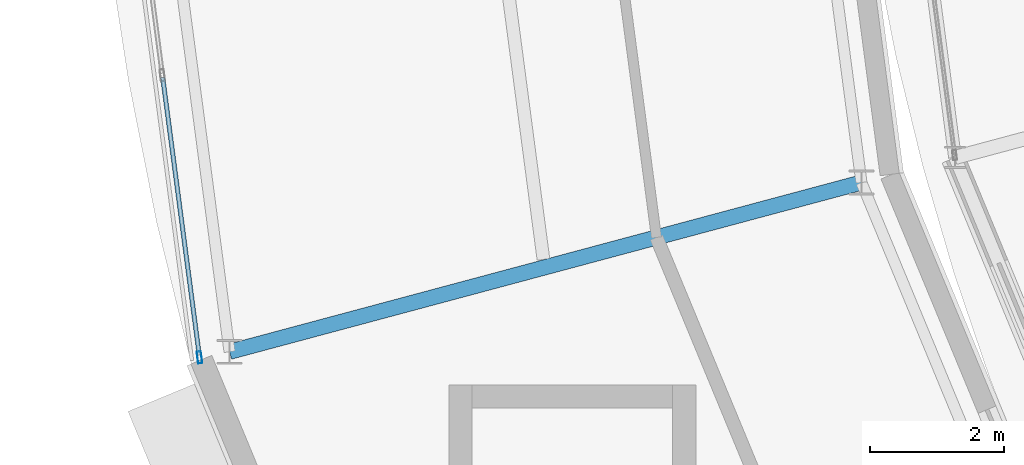
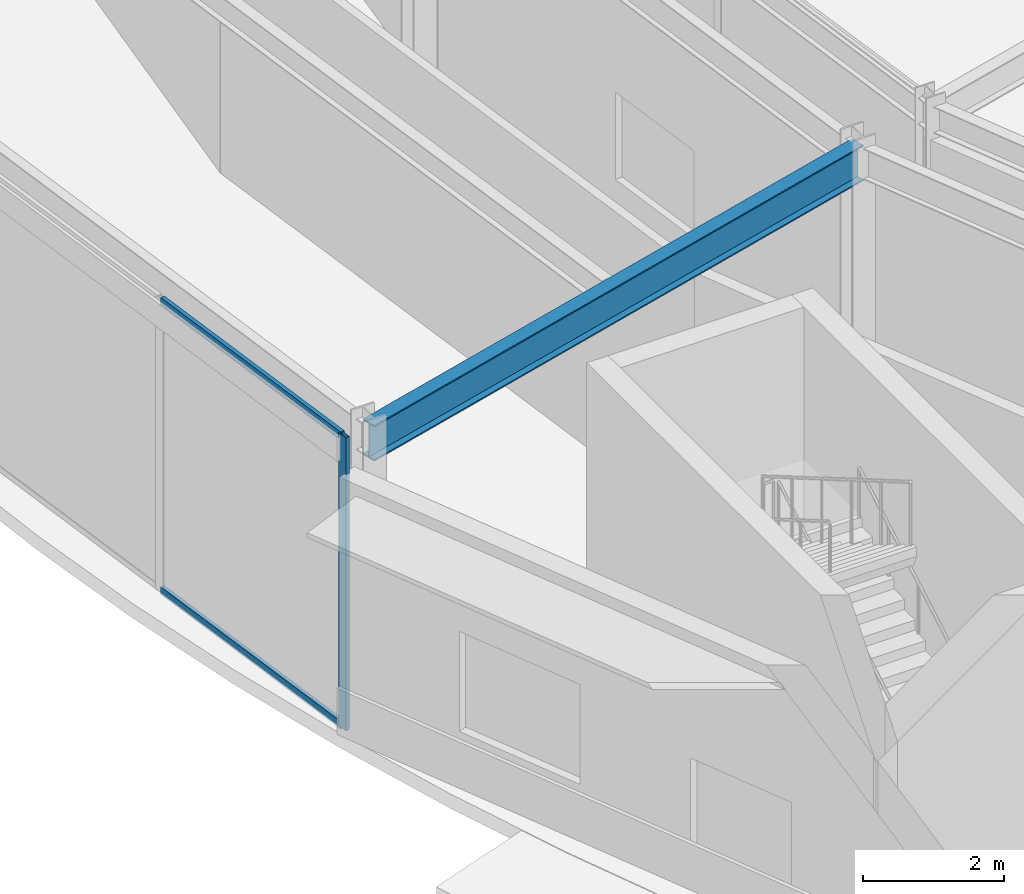
# One storey, part 32 of 168: 3 members, 1 beam, 1 element without a shape of its own.
"""IFC4 building model written with IfcOpenShell, lengths in metres."""

from ifc_helpers import new_model, si_unit, direction, frame, origin, origin_2d, place, context, subcontext, project, spatial, hollow_rectangle, i_section, extrude, material, material_profile, profile_set, type_object, element, aggregate, save


model = new_model("IFC4")

# Units and contexts
model_context = context("Model", 3, precision=1e-05, world=origin(), true_north=direction((0.0, 1.0)))
body_context = subcontext(model_context, "Body", "Model", "MODEL_VIEW")
ifc_project = project(units=[si_unit("LENGTHUNIT", "METRE"), si_unit("AREAUNIT", "SQUARE_METRE"), si_unit("VOLUMEUNIT", "CUBIC_METRE"), si_unit("PLANEANGLEUNIT", "RADIAN"), si_unit("MASSUNIT", "GRAM", prefix="KILO")], contexts=[model_context])

# Site, building, storey
site_placement = place(None, origin())
site = spatial("IfcSite", under=ifc_project, at=site_placement, CompositionType="ELEMENT")
building_placement = place(site_placement, origin())
building = spatial("IfcBuilding", under=site, at=building_placement, Name="Almandine Court Research Institute", CompositionType="ELEMENT")
storey_placement = place(building_placement, origin())
storey = spatial("IfcBuildingStorey", under=building, at=storey_placement, Name="L00", CompositionType="ELEMENT", Elevation=0.0)

# Beam
ifc_material_1 = material(Name="Steel ASTM A992 Grade 50", Category="steel")
ifc_material_profile_1 = material_profile(ifc_material_1, i_section(OverallWidth=0.22998046875, OverallDepth=0.616943359375, WebThickness=0.012939453125, FlangeThickness=0.02197265625, at=origin_2d()), Name="W610x140")
ifc_profile_set_1 = profile_set([ifc_material_profile_1], Name="Steel ASTM A992 Grade 50")
beam_type = type_object("IfcBeamType", Name="Beam-G-02", PredefinedType="BEAM", material=ifc_profile_set_1)
beam_placement = place(storey_placement, frame((49.23193359375, 45.8798828125, 4.760986328125), z_axis=(-0.965937821551, -0.258774274024, 0.0), x_axis=(0.258774274024, -0.965937821551, 0.0)))
element("IfcBeam", 1, at=beam_placement, inside=storey, type_object=beam_type, Name="L00 Drum Radial Girder 13", PredefinedType="BEAM", context=body_context, shape_type="SweptSolid", body=[
    extrude(i_section(OverallWidth=0.22998046875, OverallDepth=0.616943359375, WebThickness=0.012939453125, FlangeThickness=0.02197265625, at=origin_2d()), origin(), (0.0, 0.0, 1.0), 9.799560546875),
])

# Curtain wall, members
ifc_material_2 = material(Name="Unitised Curtain Wall Framing and Solar Glazing", Category="glass")
curtain_wall_type = type_object("IfcCurtainWallType", Name="CW-CWJ-17", PredefinedType="USERDEFINED", material=ifc_material_2)
curtain_wall_placement = place(storey_placement, origin())
curtain_wall = element("IfcCurtainWall", 2, at=curtain_wall_placement, inside=storey, type_object=curtain_wall_type, Name="L00 Stacked-Ring Drum Outer Solar Jali Screen 12", ObjectType="SOLAR JALI SCREEN", PredefinedType="USERDEFINED")
ifc_material_3 = material(Name="Anodised Aluminium AW-6063-T6", Category="aluminium")
ifc_material_profile_2 = material_profile(ifc_material_3, hollow_rectangle(XDim=0.06494140625, YDim=0.179931640625, WallThickness=0.00390625, at=origin_2d()), Name="ALU RHS 65x180x4")
ifc_profile_set_2 = profile_set([ifc_material_profile_2], Name="Anodised Aluminium AW-6063-T6")
member_type_1 = type_object("IfcMemberType", Name="CWMul-65x180", PredefinedType="MULLION", material=ifc_profile_set_2)
member_1_placement = place(storey_placement, frame((39.316650390625, 43.26123046875, 0.0), z_axis=(0.0, 0.0, 1.0), x_axis=(-0.991442926098, -0.130540891259, 0.0)))
member_1 = element("IfcMember", 3, at=member_1_placement, type_object=member_type_1, Name="CWJ-17 mullion 1", PredefinedType="MULLION", context=body_context, shape_type="SweptSolid", body=[
    extrude(hollow_rectangle(XDim=0.06494140625, YDim=0.179931640625, WallThickness=0.00390625, at=origin_2d()), origin(), (0.0, 0.0, 1.0), 5.070068359375),
])
ifc_material_profile_3 = material_profile(ifc_material_3, hollow_rectangle(XDim=0.06494140625, YDim=0.1298828125, WallThickness=0.00390625, at=origin_2d()), Name="ALU RHS 65x130x4")
ifc_profile_set_3 = profile_set([ifc_material_profile_3], Name="Anodised Aluminium AW-6063-T6")
member_type_2 = type_object("IfcMemberType", Name="CWTrn-65x130", PredefinedType="NOTDEFINED", material=ifc_profile_set_3)
member_2_placement = place(storey_placement, frame((39.3125, 43.29345703125, 0.032470703125), z_axis=(-0.130543337873, 0.991442603955, 0.0), x_axis=(-0.991442603955, -0.130543337873, 0.0)))
member_2 = element("IfcMember", 4, at=member_2_placement, type_object=member_type_2, Name="CWJ-17 transom 1.1", ObjectType="TRANSOM", PredefinedType="USERDEFINED", context=body_context, shape_type="SweptSolid", body=[
    extrude(hollow_rectangle(XDim=0.06494140625, YDim=0.1298828125, WallThickness=0.00390625, at=origin_2d()), origin(), (0.0, 0.0, 1.0), 4.19482421875),
])
member_3_placement = place(storey_placement, frame((39.3125, 43.29345703125, 5.03759765625), z_axis=(-0.130543337873, 0.991442603955, 0.0), x_axis=(-0.991442603955, -0.130543337873, 0.0)))
member_3 = element("IfcMember", 5, at=member_3_placement, type_object=member_type_2, Name="CWJ-17 transom 1.2", ObjectType="TRANSOM", PredefinedType="USERDEFINED", context=body_context, shape_type="SweptSolid", body=[
    extrude(hollow_rectangle(XDim=0.06494140625, YDim=0.1298828125, WallThickness=0.00390625, at=origin_2d()), origin(), (0.0, 0.0, 1.0), 4.19482421875),
])
aggregate(curtain_wall, [member_1, member_2, member_3])

save(model, "model.ifc")
